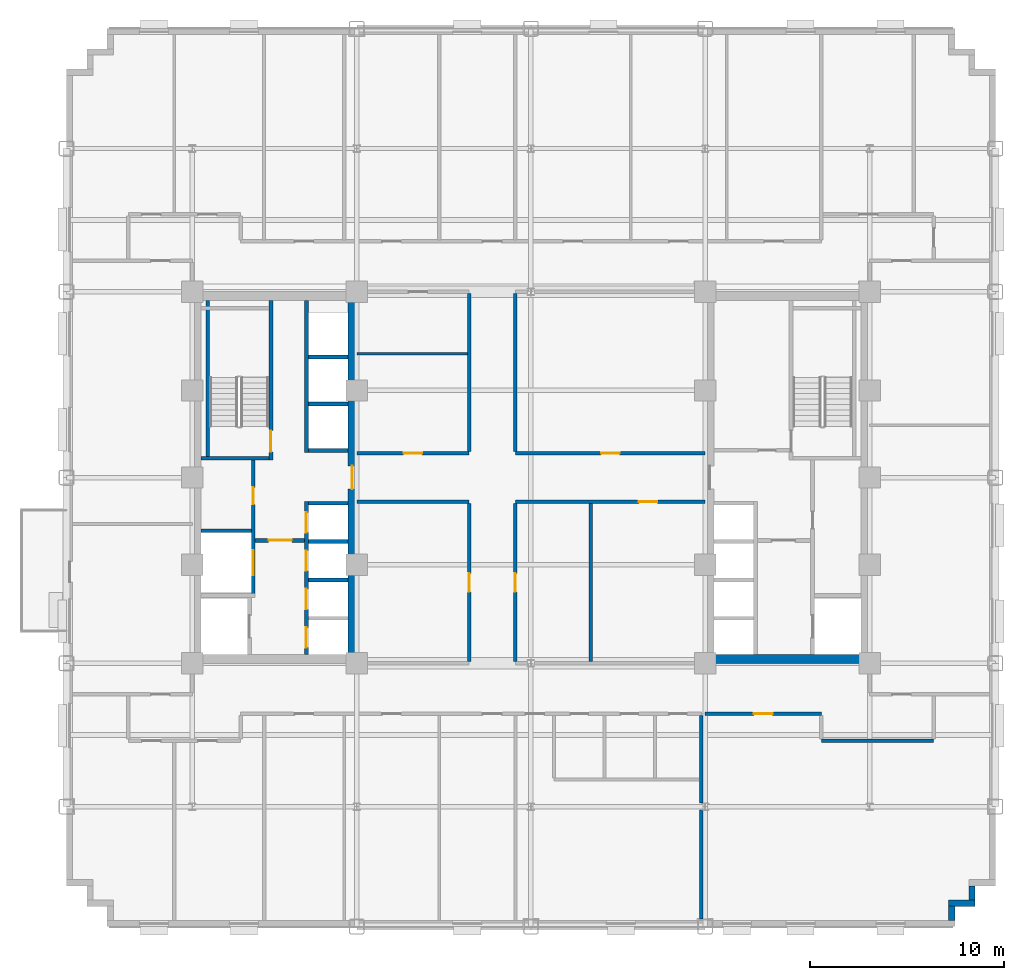
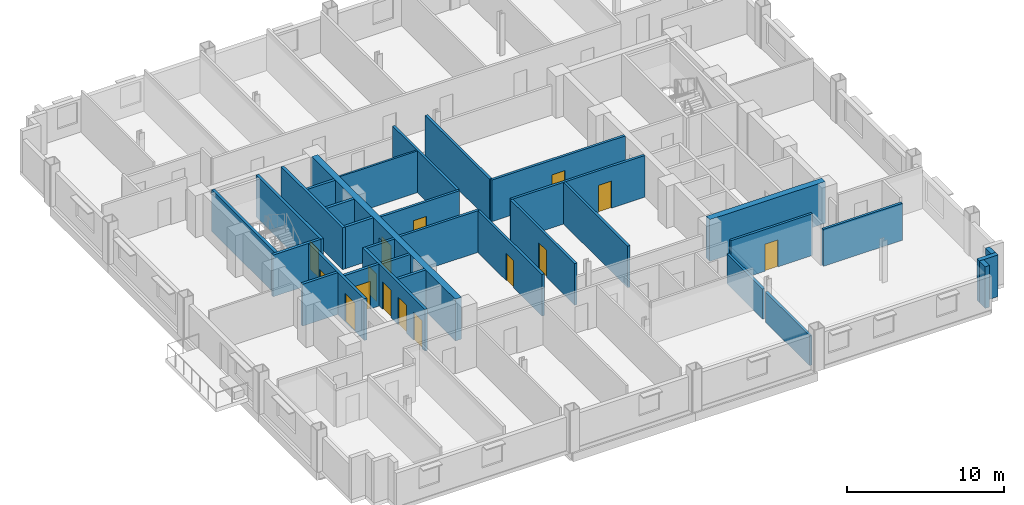
# One storey, part 7 of 14: 33 walls, 15 doors, 15 openings.
"""IFC4 building model written with IfcOpenShell, lengths in metres."""

import ifcopenshell
import ifcopenshell.guid

model = None  # the IFC model being written
_history = None  # IfcOwnerHistory: only IFC2X3 demands one
_inside = {}  # id of a spatial element -> (the spatial element, [elements in it])
_under = {}  # id of a project, library or spatial element -> (it, [spatial elements below it])
_declared = {}  # id of a project -> (the project, [libraries it declares])
_typed = {}  # id of a type object -> (the type object, [elements of that type])
_made_of = {}  # id of a material, layer set ... -> (it, [elements and type objects made of it])


def new_model(schema):
    """Start an empty IFC model of exactly this schema.

    Asked for "IFC4X3", IfcOpenShell would pick the latest addendum, in which some entities
    have other attributes; the version numbers below select the first issue.
    IFC2X3 requires an IfcOwnerHistory on every rooted entity: one is made here for all.
    """
    global model, _history
    if schema == "IFC4X3":
        model = ifcopenshell.file(schema_version=(4, 3, 0, 0))
    else:
        model = ifcopenshell.file(schema=schema)
    _inside.clear()
    _under.clear()
    _declared.clear()
    _typed.clear()
    _made_of.clear()
    _history = None
    if model.schema == "IFC2X3":
        org = make("IfcOrganization", Name="unknown")
        user = make(
            "IfcPersonAndOrganization",
            ThePerson=make("IfcPerson", FamilyName="unknown"),
            TheOrganization=org,
        )
        app = make(
            "IfcApplication",
            ApplicationDeveloper=org,
            Version="unknown",
            ApplicationFullName="unknown",
            ApplicationIdentifier="unknown",
        )
        _history = make(
            "IfcOwnerHistory",
            OwningUser=user,
            OwningApplication=app,
            ChangeAction="ADDED",
            CreationDate=0,
        )
    return model


def make(cls, **values):
    """One entity of the class cls with the attributes given. An attribute that is None is left unset."""
    return model.create_entity(
        cls, **{name: value for name, value in values.items() if value is not None}
    )


def rooted(cls, **values):
    """An entity with a GlobalId (a new one), such as an element, a storey or a relation."""
    return make(cls, GlobalId=ifcopenshell.guid.new(), OwnerHistory=_history, **values)


def si_unit(unit_type, name, prefix=None):
    """IfcSIUnit, for example si_unit("LENGTHUNIT", "METRE", prefix="MILLI")."""
    return make("IfcSIUnit", UnitType=unit_type, Prefix=prefix, Name=name)


def assignment(units):
    """IfcUnitAssignment: the units of a project."""
    return None if units is None else make("IfcUnitAssignment", Units=units)


def point(xyz):
    """IfcCartesianPoint."""
    return None if xyz is None else make("IfcCartesianPoint", Coordinates=xyz)


def direction(xyz):
    """IfcDirection."""
    return None if xyz is None else make("IfcDirection", DirectionRatios=xyz)


def frame(location, z_axis=None, x_axis=None):
    """IfcAxis2Placement3D, a coordinate frame: its origin and axes. An axis left out is left unset."""
    return make(
        "IfcAxis2Placement3D",
        Location=point(location),
        Axis=direction(z_axis),
        RefDirection=direction(x_axis),
    )


def frame_2d(location, x_axis=None):
    """IfcAxis2Placement2D, a coordinate frame in the plane: its origin and x axis."""
    return make(
        "IfcAxis2Placement2D", Location=point(location), RefDirection=direction(x_axis)
    )


def origin():
    """The frame at (0, 0, 0) with its axes left unset."""
    return frame((0.0, 0.0, 0.0))


def place(relative_to, where):
    """IfcLocalPlacement: puts the frame where relative to a parent placement (None: the world)."""
    return make(
        "IfcLocalPlacement", PlacementRelTo=relative_to, RelativePlacement=where
    )


def context(
    kind, dimensions, precision=None, world=None, true_north=None, identifier=None
):
    """IfcGeometricRepresentationContext, for example the 3D "Model" context."""
    return make(
        "IfcGeometricRepresentationContext",
        ContextIdentifier=identifier,
        ContextType=kind,
        CoordinateSpaceDimension=dimensions,
        Precision=precision,
        WorldCoordinateSystem=world,
        TrueNorth=true_north,
    )


def subcontext(parent, identifier, kind, view, scale=None):
    """IfcGeometricRepresentationSubContext, for example "Body" below "Model"."""
    return make(
        "IfcGeometricRepresentationSubContext",
        ContextIdentifier=identifier,
        ContextType=kind,
        ParentContext=parent,
        TargetScale=scale,
        TargetView=view,
    )


def project(units=None, contexts=None):
    """IfcProject with its units and contexts."""
    return rooted(
        "IfcProject",
        Name="project",
        RepresentationContexts=contexts,
        UnitsInContext=assignment(units),
    )


def spatial(cls, under=None, at=None, **own):
    """A site, building, storey or space (cls), placed at a placement, below another one or the project."""
    s = rooted(cls, ObjectPlacement=at, **own)
    if under is not None:
        _under.setdefault(under.id(), (under, []))[1].append(s)
    return s


def profile(cls, at=None, kind="AREA", **sizes):
    """A parametric profile (cls). Its sizes go by their IFC names, for example OverallWidth=200.0."""
    return make(cls, ProfileType=kind, Position=at, **sizes)


def rectangle(**sizes):
    """IfcRectangleProfileDef."""
    return profile("IfcRectangleProfileDef", **sizes)


def extrude(swept, where, along, depth):
    """IfcExtrudedAreaSolid: the profile swept, set in the frame where, extruded along a direction by depth."""
    return make(
        "IfcExtrudedAreaSolid",
        SweptArea=swept,
        Position=where,
        ExtrudedDirection=direction(along),
        Depth=depth,
    )


def shape(context_of_items, identifier, shape_type, items):
    """IfcShapeRepresentation: the items that make up one representation, for example the "Body"."""
    return make(
        "IfcShapeRepresentation",
        ContextOfItems=context_of_items,
        RepresentationIdentifier=identifier,
        RepresentationType=shape_type,
        Items=items,
    )


def source(mapping_origin, context_of_items, identifier, shape_type, items):
    """IfcRepresentationMap: a shape defined once, which mapped items show again and again."""
    return make(
        "IfcRepresentationMap",
        MappingOrigin=mapping_origin,
        MappedRepresentation=shape(context_of_items, identifier, shape_type, items),
    )


def transform(
    local_origin,
    x_axis=None,
    y_axis=None,
    z_axis=None,
    scale=None,
    scale2=None,
    scale3=None,
    uniform=True,
):
    """IfcCartesianTransformationOperator3D, or its non-uniform kind. x_axis, y_axis, z_axis: its Axis1, 2, 3."""
    if uniform:
        return make(
            "IfcCartesianTransformationOperator3D",
            Axis1=direction(x_axis),
            Axis2=direction(y_axis),
            LocalOrigin=point(local_origin),
            Scale=scale,
            Axis3=direction(z_axis),
        )
    return make(
        "IfcCartesianTransformationOperator3DnonUniform",
        Axis1=direction(x_axis),
        Axis2=direction(y_axis),
        LocalOrigin=point(local_origin),
        Scale=scale,
        Axis3=direction(z_axis),
        Scale2=scale2,
        Scale3=scale3,
    )


def mapped(mapping_source, mapping_target):
    """IfcMappedItem: shows the shape of a source again, moved by a transform."""
    return make(
        "IfcMappedItem", MappingSource=mapping_source, MappingTarget=mapping_target
    )


def material(Name=None, Category=None):
    """IfcMaterial."""
    return make("IfcMaterial", Name=Name, Category=Category)


def layer(
    of_material, thickness, ventilated=None, Name=None, Category=None, Priority=None
):
    """IfcMaterialLayer: one layer of a wall or slab, of a material (None: an air gap)."""
    return make(
        "IfcMaterialLayer",
        Material=of_material,
        LayerThickness=thickness,
        IsVentilated=ventilated,
        Name=Name,
        Category=Category,
        Priority=Priority,
    )


def layer_set(layers, Name=None):
    """IfcMaterialLayerSet."""
    return make("IfcMaterialLayerSet", MaterialLayers=layers, LayerSetName=Name)


def made_of(thing, what):
    """Note that an element or type object is made of a material, layer set ...; save() writes the relation."""
    if what is not None:
        _made_of.setdefault(what.id(), (what, []))[1].append(thing)
    return thing


def type_object(cls, material=None, **own):
    """A type object (cls), such as IfcWallType, which elements share."""
    return made_of(rooted(cls, **own), material)


def type_shapes(of_type, sources):
    """Give a type object the sources (RepresentationMaps) that its elements show as mapped items."""
    of_type.RepresentationMaps = sources


def element(
    cls,
    number,
    at=None,
    inside=None,
    cuts=None,
    type_object=None,
    material=None,
    context=None,
    identifier="Body",
    shape_type=None,
    held_by="IfcProductDefinitionShape",
    body=None,
    shapes=None,
    **own,
):
    """One element of the class cls, such as IfcWall. Its Tag is "e" and its number.

    at: its placement. inside: the storey or other place that contains it. cuts: it is an
    opening in that element (IfcRelVoidsElement). A single representation is given by context,
    identifier, shape_type and body (its items); several are given by shapes. held_by: the class
    of the entity that holds the representations. save() writes the other relations.
    """
    e = rooted(cls, Tag="e%d" % number, ObjectPlacement=at, **own)
    if body is not None:
        shapes = [shape(context, identifier, shape_type, body)]
    if shapes is not None:
        e.Representation = make(held_by, Representations=shapes)
    if inside is not None:
        _inside.setdefault(inside.id(), (inside, []))[1].append(e)
    if cuts is not None:
        rooted(
            "IfcRelVoidsElement", RelatingBuildingElement=cuts, RelatedOpeningElement=e
        )
    if type_object is not None:
        _typed.setdefault(type_object.id(), (type_object, []))[1].append(e)
    return made_of(e, material)


def fill(opening, filler):
    """IfcRelFillsElement: the door or window that sits in an opening."""
    return rooted(
        "IfcRelFillsElement",
        RelatingOpeningElement=opening,
        RelatedBuildingElement=filler,
    )


def aggregate(whole, parts):
    """IfcRelAggregates: a whole, such as a stair, and the parts it consists of."""
    return rooted("IfcRelAggregates", RelatingObject=whole, RelatedObjects=parts)


def save(model, path):
    """Write the relations noted so far, then the file.

    IfcRelAggregates (storeys below a building ...), IfcRelContainedInSpatialStructure (elements
    in a storey), IfcRelDefinesByType, IfcRelAssociatesMaterial and IfcRelDeclares: one each for
    every whole, place, type object, material and project.
    """
    for whole, parts in _under.values():
        aggregate(whole, parts)
    for where, things in _inside.values():
        rooted(
            "IfcRelContainedInSpatialStructure",
            RelatedElements=things,
            RelatingStructure=where,
        )
    for kind, things in _typed.values():
        rooted("IfcRelDefinesByType", RelatedObjects=things, RelatingType=kind)
    for what, things in _made_of.values():
        rooted("IfcRelAssociatesMaterial", RelatedObjects=things, RelatingMaterial=what)
    for by, libraries in _declared.values():
        rooted("IfcRelDeclares", RelatingContext=by, RelatedDefinitions=libraries)
    model.write(path)


model = new_model("IFC4")

# Units and contexts
model_context = context("Model", 3, precision=1e-05, world=origin(), true_north=direction((0.0, 1.0)))
body_context = subcontext(model_context, "Body", "Model", "MODEL_VIEW")
ifc_project = project(units=[si_unit("LENGTHUNIT", "METRE"), si_unit("AREAUNIT", "SQUARE_METRE"), si_unit("VOLUMEUNIT", "CUBIC_METRE"), si_unit("PLANEANGLEUNIT", "RADIAN"), si_unit("MASSUNIT", "GRAM", prefix="KILO")], contexts=[model_context])

# Site, building, storey
site_placement = place(None, origin())
site = spatial("IfcSite", under=ifc_project, at=site_placement, CompositionType="ELEMENT")
building_placement = place(site_placement, origin())
building = spatial("IfcBuilding", under=site, at=building_placement, Name="Nuvemarco Arch Tower", CompositionType="ELEMENT")
storey_placement = place(building_placement, frame((0.0, 0.0, 89.64990234375)))
storey = spatial("IfcBuildingStorey", under=building, at=storey_placement, Name="L23", CompositionType="ELEMENT", Elevation=89.64990234375)

# Walls
ifc_material_1 = material(Name="Precast concrete C45/55", Category="concrete")
ifc_layer_1 = layer(ifc_material_1, 0.320068359375, Name="EW-MID-320")
ifc_layer_set_1 = layer_set([ifc_layer_1], Name="Precast concrete C45/55")
wall_type_1 = type_object("IfcWallType", Name="EW-MID-320", PredefinedType="STANDARD", material=ifc_layer_set_1)
wall_1_placement = place(storey_placement, frame((21.739990234375, -22.884033203125, 0.0), z_axis=(0.0, 0.0, 1.0), x_axis=(0.0, 1.0, 0.0)))
element("IfcWall", 1, at=wall_1_placement, inside=storey, type_object=wall_type_1, Name="L23 exterior precast facade wall 2", PredefinedType="STANDARD", context=body_context, shape_type="SweptSolid", body=[
    extrude(rectangle(XDim=0.738037109375, YDim=0.320068359375, at=frame_2d((0.369140625, 0.0))), origin(), (0.0, 0.0, 1.0), 3.239990234375),
])
wall_2_placement = place(storey_placement, frame((21.580078125, -21.989990234375, 0.0), z_axis=(0.0, 0.0, 1.0), x_axis=(1.0, 0.0, 0.0)))
element("IfcWall", 2, at=wall_2_placement, inside=storey, type_object=wall_type_1, Name="L23 exterior precast facade wall 3", PredefinedType="STANDARD", context=body_context, shape_type="SweptSolid", body=[
    extrude(rectangle(XDim=1.369873046875, YDim=0.320068359375, at=frame_2d((0.68505859375, 0.0))), origin(), (0.0, 0.0, 1.0), 3.239990234375),
])
wall_3_placement = place(storey_placement, frame((22.7900390625, -21.833984375, 0.0), z_axis=(0.0, 0.0, 1.0), x_axis=(0.0, 1.0, 0.0)))
element("IfcWall", 3, at=wall_3_placement, inside=storey, type_object=wall_type_1, Name="L23 exterior precast facade wall 4", PredefinedType="STANDARD", context=body_context, shape_type="SweptSolid", body=[
    extrude(rectangle(XDim=0.738037109375, YDim=0.320068359375, at=frame_2d((0.369140625, 0.0))), origin(), (0.0, 0.0, 1.0), 3.239990234375),
])

# Wall, opening, door
ifc_material_2 = material(Name="Concrete C60/75", Category="concrete")
ifc_layer_2 = layer(ifc_material_2, 0.449951171875, Name="WL-CORE-450")
ifc_layer_set_2 = layer_set([ifc_layer_2], Name="Concrete C60/75")
wall_type_2 = type_object("IfcWallType", Name="WL-CORE-450", PredefinedType="SHEAR", material=ifc_layer_set_2)
wall_4_placement = place(storey_placement, frame((-9.22509765625, -9.155029296875, 0.0), z_axis=(0.0, 0.0, 1.0), x_axis=(0.0, 1.0, 0.0)))
wall_4 = element("IfcWall", 4, at=wall_4_placement, inside=storey, type_object=wall_type_2, Name="L23 W-core shear wall E", PredefinedType="SHEAR", context=body_context, shape_type="SweptSolid", body=[
    extrude(rectangle(XDim=18.31005859375, YDim=0.449951171875, at=frame_2d((9.155029296875, 0.0))), origin(), (0.0, 0.0, 1.0), 3.25),
])
opening_1_placement = place(wall_4_placement, frame((8.554931640625, 0.0, 0.0)))
opening_1 = element("IfcOpeningElement", 5, at=opening_1_placement, cuts=wall_4, Name="Opening FD-2", PredefinedType="OPENING", context=body_context, shape_type="SweptSolid", body=[
    extrude(rectangle(XDim=1.199951171875, YDim=2.14990234375, at=frame_2d((0.60009765625, 1.074951171875))), frame((0.0, 0.23486328125, 0.0), z_axis=(0.0, -1.0, 0.0), x_axis=(1.0, 0.0, 0.0)), (0.0, 0.0, 1.0), 0.469970703125),
])
ifc_material_3 = material(Name="Anodised steel fire door", Category="steel")
door_type_1 = type_object("IfcDoorType", Name="DR-FFLOB-FD", OperationType="NOTDEFINED", PredefinedType="DOOR", material=ifc_material_3)
shared_shape_1 = source(origin(), body_context, "Body", "SweptSolid", [
    extrude(rectangle(XDim=1.199951171875, YDim=2.14990234375, at=frame_2d((0.60009765625, 1.074951171875))), frame((0.0, 0.02490234375, 0.0), z_axis=(0.0, -1.0, 0.0), x_axis=(1.0, 0.0, 0.0)), (0.0, 0.0, 1.0), 0.050048828125),
])
type_shapes(door_type_1, [shared_shape_1])
door_1_placement = place(opening_1_placement, origin())
door_1 = element("IfcDoor", 6, at=door_1_placement, inside=storey, type_object=door_type_1, Name="L23 door FD-L23-WCORE-E", OperationType="SINGLE_SWING_LEFT", OverallHeight=2.14990234375, OverallWidth=1.199951171875, PredefinedType="DOOR", context=body_context, shape_type="MappedRepresentation", body=[
    mapped(shared_shape_1, transform((0.0, 0.0, 0.0), scale=1.0)),
])
fill(opening_1, door_1)

# Walls
wall_5_placement = place(storey_placement, frame((9.0, -9.375, 0.0), z_axis=(0.0, 0.0, 1.0), x_axis=(1.0, 0.0, 0.0)))
element("IfcWall", 7, at=wall_5_placement, inside=storey, type_object=wall_type_2, Name="L23 E-core shear wall S", PredefinedType="SHEAR", context=body_context, shape_type="SweptSolid", body=[
    extrude(rectangle(XDim=8.5, YDim=0.449951171875, at=frame_2d((4.25, 0.0))), origin(), (0.0, 0.0, 1.0), 3.25),
])
ifc_material_4 = material(Name="Fire-rated gypsum drywall partition")
ifc_layer_3 = layer(ifc_material_4, 0.179931640625, Name="WL-CORR-180")
ifc_layer_set_3 = layer_set([ifc_layer_3], Name="Fire-rated gypsum drywall partition")
wall_type_3 = type_object("IfcWallType", Name="WL-CORR-180", PredefinedType="PARTITIONING", material=ifc_layer_set_3)
wall_6_placement = place(storey_placement, frame((15.0, -13.60009765625, 0.0), z_axis=(0.0, 0.0, 1.0), x_axis=(1.0, 0.0, 0.0)))
element("IfcWall", 8, at=wall_6_placement, inside=storey, type_object=wall_type_3, Name="L23 interior wall IW-L23-003", PredefinedType="PARTITIONING", context=body_context, shape_type="SweptSolid", body=[
    extrude(rectangle(XDim=5.800048828125, YDim=0.179931640625, at=frame_2d((2.89990234375, 0.0))), origin(), (0.0, 0.0, 1.0), 2.878173828125),
])

# Wall, opening, door
wall_7_placement = place(storey_placement, frame((9.0, -12.199951171875, 0.0), z_axis=(0.0, 0.0, 1.0), x_axis=(1.0, 0.0, 0.0)))
wall_7 = element("IfcWall", 9, at=wall_7_placement, inside=storey, type_object=wall_type_3, Name="L23 interior wall IW-L23-005", PredefinedType="PARTITIONING", context=body_context, shape_type="SweptSolid", body=[
    extrude(rectangle(XDim=6.0, YDim=0.179931640625, at=frame_2d((3.0, 0.0))), origin(), (0.0, 0.0, 1.0), 3.239990234375),
])
opening_2_placement = place(wall_7_placement, frame((2.52001953125, 0.0, 0.0)))
opening_2 = element("IfcOpeningElement", 10, at=opening_2_placement, cuts=wall_7, Name="Opening FD-5", PredefinedType="OPENING", context=body_context, shape_type="SweptSolid", body=[
    extrude(rectangle(XDim=0.9599609375, YDim=2.10009765625, at=frame_2d((0.47998046875, 1.050048828125))), frame((0.0, 0.099853515625, 0.0), z_axis=(0.0, -1.0, 0.0), x_axis=(1.0, 0.0, 0.0)), (0.0, 0.0, 1.0), 0.199951171875),
])
ifc_material_5 = material(Name="Timber fire door", Category="wood")
door_type_2 = type_object("IfcDoorType", Name="DR-CORR-FD", OperationType="NOTDEFINED", PredefinedType="DOOR", material=ifc_material_5)
shared_shape_2 = source(origin(), body_context, "Body", "SweptSolid", [
    extrude(rectangle(XDim=0.9599609375, YDim=2.10009765625, at=frame_2d((0.47998046875, 1.050048828125))), frame((0.0, 0.02490234375, 0.0), z_axis=(0.0, -1.0, 0.0), x_axis=(1.0, 0.0, 0.0)), (0.0, 0.0, 1.0), 0.050048828125),
])
type_shapes(door_type_2, [shared_shape_2])
door_2_placement = place(opening_2_placement, origin())
door_2 = element("IfcDoor", 11, at=door_2_placement, inside=storey, type_object=door_type_2, Name="L23 door DR-L23-S_7", OperationType="SINGLE_SWING_LEFT", OverallHeight=2.10009765625, OverallWidth=0.9599609375, PredefinedType="DOOR", context=body_context, shape_type="MappedRepresentation", body=[
    mapped(shared_shape_2, transform((0.0, 0.0, 0.0), scale=1.0)),
])
fill(opening_2, door_2)

# Wall
wall_8_placement = place(storey_placement, frame((-9.0, -1.25, 0.0), z_axis=(0.0, 0.0, 1.0), x_axis=(1.0, 0.0, 0.0)))
element("IfcWall", 12, at=wall_8_placement, inside=storey, type_object=wall_type_3, Name="L23 interior wall IW-L23-012", PredefinedType="PARTITIONING", context=body_context, shape_type="SweptSolid", body=[
    extrude(rectangle(XDim=5.800048828125, YDim=0.179931640625, at=frame_2d((2.89990234375, 0.0))), origin(), (0.0, 0.0, 1.0), 3.239990234375),
])

# Wall, opening, door
wall_9_placement = place(storey_placement, frame((-0.800048828125, -1.25, 0.0), z_axis=(0.0, 0.0, 1.0), x_axis=(1.0, 0.0, 0.0)))
wall_9 = element("IfcWall", 13, at=wall_9_placement, inside=storey, type_object=wall_type_3, Name="L23 interior wall IW-L23-013", PredefinedType="PARTITIONING", context=body_context, shape_type="SweptSolid", body=[
    extrude(rectangle(XDim=9.800048828125, YDim=0.179931640625, at=frame_2d((4.89990234375, 0.0))), origin(), (0.0, 0.0, 1.0), 3.239990234375),
])
opening_3_placement = place(wall_9_placement, frame((6.3701171875, 0.0, 0.0)))
opening_3 = element("IfcOpeningElement", 14, at=opening_3_placement, cuts=wall_9, Name="Opening FD-5", PredefinedType="OPENING", context=body_context, shape_type="SweptSolid", body=[
    extrude(rectangle(XDim=0.9599609375, YDim=2.10009765625, at=frame_2d((0.47998046875, 1.050048828125))), frame((0.0, 0.099853515625, 0.0), z_axis=(0.0, -1.0, 0.0), x_axis=(1.0, 0.0, 0.0)), (0.0, 0.0, 1.0), 0.199951171875),
])
door_3_placement = place(opening_3_placement, origin())
door_3 = element("IfcDoor", 15, at=door_3_placement, inside=storey, type_object=door_type_2, Name="L23 door DR-L23-C_SE2", OperationType="SINGLE_SWING_LEFT", OverallHeight=2.10009765625, OverallWidth=0.9599609375, PredefinedType="DOOR", context=body_context, shape_type="MappedRepresentation", body=[
    mapped(shared_shape_2, transform((0.0, 0.0, 0.0), scale=1.0)),
])
fill(opening_3, door_3)

wall_10_placement = place(storey_placement, frame((-9.0, 1.25, 0.0), z_axis=(0.0, 0.0, 1.0), x_axis=(1.0, 0.0, 0.0)))
wall_10 = element("IfcWall", 16, at=wall_10_placement, inside=storey, type_object=wall_type_3, Name="L23 interior wall IW-L23-014", PredefinedType="PARTITIONING", context=body_context, shape_type="SweptSolid", body=[
    extrude(rectangle(XDim=5.800048828125, YDim=0.179931640625, at=frame_2d((2.89990234375, 0.0))), origin(), (0.0, 0.0, 1.0), 3.239990234375),
])
opening_4_placement = place(wall_10_placement, frame((2.419921875, 0.0, 0.0)))
opening_4 = element("IfcOpeningElement", 17, at=opening_4_placement, cuts=wall_10, Name="Opening FD-5", PredefinedType="OPENING", context=body_context, shape_type="SweptSolid", body=[
    extrude(rectangle(XDim=0.9599609375, YDim=2.10009765625, at=frame_2d((0.47998046875, 1.050048828125))), frame((0.0, 0.099853515625, 0.0), z_axis=(0.0, -1.0, 0.0), x_axis=(1.0, 0.0, 0.0)), (0.0, 0.0, 1.0), 0.199951171875),
])
door_4_placement = place(opening_4_placement, origin())
door_4 = element("IfcDoor", 18, at=door_4_placement, inside=storey, type_object=door_type_2, Name="L23 door DR-L23-C_NW1", OperationType="SINGLE_SWING_RIGHT", OverallHeight=2.10009765625, OverallWidth=0.9599609375, PredefinedType="DOOR", context=body_context, shape_type="MappedRepresentation", body=[
    mapped(shared_shape_2, transform((0.0, 0.0, 0.0), scale=1.0)),
])
fill(opening_4, door_4)

wall_11_placement = place(storey_placement, frame((-0.800048828125, 1.25, 0.0), z_axis=(0.0, 0.0, 1.0), x_axis=(1.0, 0.0, 0.0)))
wall_11 = element("IfcWall", 19, at=wall_11_placement, inside=storey, type_object=wall_type_3, Name="L23 interior wall IW-L23-015", PredefinedType="PARTITIONING", context=body_context, shape_type="SweptSolid", body=[
    extrude(rectangle(XDim=9.800048828125, YDim=0.179931640625, at=frame_2d((4.89990234375, 0.0))), origin(), (0.0, 0.0, 1.0), 3.239990234375),
])
opening_5_placement = place(wall_11_placement, frame((4.419921875, 0.0, 0.0)))
opening_5 = element("IfcOpeningElement", 20, at=opening_5_placement, cuts=wall_11, Name="Opening FD-5", PredefinedType="OPENING", context=body_context, shape_type="SweptSolid", body=[
    extrude(rectangle(XDim=0.9599609375, YDim=2.10009765625, at=frame_2d((0.47998046875, 1.050048828125))), frame((0.0, 0.099853515625, 0.0), z_axis=(0.0, -1.0, 0.0), x_axis=(1.0, 0.0, 0.0)), (0.0, 0.0, 1.0), 0.199951171875),
])
door_5_placement = place(opening_5_placement, origin())
door_5 = element("IfcDoor", 21, at=door_5_placement, inside=storey, type_object=door_type_2, Name="L23 door DR-L23-C_NE", OperationType="SINGLE_SWING_RIGHT", OverallHeight=2.10009765625, OverallWidth=0.9599609375, PredefinedType="DOOR", context=body_context, shape_type="MappedRepresentation", body=[
    mapped(shared_shape_2, transform((0.0, 0.0, 0.0), scale=1.0)),
])
fill(opening_5, door_5)

wall_12_placement = place(storey_placement, frame((-3.199951171875, -9.513916015625, 0.0), z_axis=(0.0, 0.0, 1.0), x_axis=(0.0, 1.0, 0.0)))
wall_12 = element("IfcWall", 22, at=wall_12_placement, inside=storey, type_object=wall_type_3, Name="L23 interior wall IW-L23-040", PredefinedType="PARTITIONING", context=body_context, shape_type="SweptSolid", body=[
    extrude(rectangle(XDim=8.177978515625, YDim=0.179931640625, at=frame_2d((4.0888671875, 0.0))), origin(), (0.0, 0.0, 1.0), 3.239990234375),
])
opening_6_placement = place(wall_12_placement, frame((3.60888671875, 0.0, 0.0)))
opening_6 = element("IfcOpeningElement", 23, at=opening_6_placement, cuts=wall_12, Name="Opening FD-5", PredefinedType="OPENING", context=body_context, shape_type="SweptSolid", body=[
    extrude(rectangle(XDim=0.9599609375, YDim=2.10009765625, at=frame_2d((0.47998046875, 1.050048828125))), frame((0.0, 0.099853515625, 0.0), z_axis=(0.0, -1.0, 0.0), x_axis=(1.0, 0.0, 0.0)), (0.0, 0.0, 1.0), 0.199951171875),
])
door_6_placement = place(opening_6_placement, origin())
door_6 = element("IfcDoor", 24, at=door_6_placement, inside=storey, type_object=door_type_2, Name="L23 door DR-L23-C_SW", OperationType="SINGLE_SWING_LEFT", OverallHeight=2.10009765625, OverallWidth=0.9599609375, PredefinedType="DOOR", context=body_context, shape_type="MappedRepresentation", body=[
    mapped(shared_shape_2, transform((0.0, 0.0, 0.0), scale=1.0)),
])
fill(opening_6, door_6)

# Wall
wall_13_placement = place(storey_placement, frame((-3.199951171875, 1.3359375, 0.0), z_axis=(0.0, 0.0, 1.0), x_axis=(0.0, 1.0, 0.0)))
element("IfcWall", 25, at=wall_13_placement, inside=storey, type_object=wall_type_3, Name="L23 interior wall IW-L23-041", PredefinedType="PARTITIONING", context=body_context, shape_type="SweptSolid", body=[
    extrude(rectangle(XDim=8.177978515625, YDim=0.179931640625, at=frame_2d((4.0888671875, 0.0))), origin(), (0.0, 0.0, 1.0), 3.239990234375),
])

# Wall, opening, door
wall_14_placement = place(storey_placement, frame((-0.800048828125, -9.513916015625, 0.0), z_axis=(0.0, 0.0, 1.0), x_axis=(0.0, 1.0, 0.0)))
wall_14 = element("IfcWall", 26, at=wall_14_placement, inside=storey, type_object=wall_type_3, Name="L23 interior wall IW-L23-043", PredefinedType="PARTITIONING", context=body_context, shape_type="SweptSolid", body=[
    extrude(rectangle(XDim=8.177978515625, YDim=0.179931640625, at=frame_2d((4.0888671875, 0.0))), origin(), (0.0, 0.0, 1.0), 3.239990234375),
])
opening_7_placement = place(wall_14_placement, frame((3.60888671875, 0.0, 0.0)))
opening_7 = element("IfcOpeningElement", 27, at=opening_7_placement, cuts=wall_14, Name="Opening FD-5", PredefinedType="OPENING", context=body_context, shape_type="SweptSolid", body=[
    extrude(rectangle(XDim=0.9599609375, YDim=2.10009765625, at=frame_2d((0.47998046875, 1.050048828125))), frame((0.0, 0.099853515625, 0.0), z_axis=(0.0, -1.0, 0.0), x_axis=(1.0, 0.0, 0.0)), (0.0, 0.0, 1.0), 0.199951171875),
])
door_7_placement = place(opening_7_placement, origin())
door_7 = element("IfcDoor", 28, at=door_7_placement, inside=storey, type_object=door_type_2, Name="L23 door DR-L23-C_SE1", OperationType="SINGLE_SWING_RIGHT", OverallHeight=2.10009765625, OverallWidth=0.9599609375, PredefinedType="DOOR", context=body_context, shape_type="MappedRepresentation", body=[
    mapped(shared_shape_2, transform((0.0, 0.0, 0.0), scale=1.0)),
])
fill(opening_7, door_7)

# Walls
for number, where, z_axis, x_axis, name in (
    (29, (-0.800048828125, 1.3359375, 0.0), (0.0, 0.0, 1.0), (0.0, 1.0, 0.0), "L23 interior wall IW-L23-044"),
    (30, (3.10009765625, -9.513916015625, 0.0), (0.0, 0.0, 1.0), (0.0, 1.0, 0.0), "L23 interior wall IW-L23-047"),
):
    element("IfcWall", number, at=place(storey_placement, frame(where, z_axis=z_axis, x_axis=x_axis)), inside=storey, type_object=wall_type_3, Name=name, PredefinedType="PARTITIONING", context=body_context, shape_type="SweptSolid", body=[
        extrude(rectangle(XDim=8.177978515625, YDim=0.179931640625, at=frame_2d((4.0888671875, 0.0))), origin(), (0.0, 0.0, 1.0), 3.239990234375),
    ])
wall_15_placement = place(storey_placement, frame((8.800048828125, -22.803955078125, 0.0), z_axis=(0.0, 0.0, 1.0), x_axis=(0.0, 1.0, 0.0)))
element("IfcWall", 31, at=wall_15_placement, inside=storey, type_object=wall_type_3, Name="L23 interior wall IW-L23-051", PredefinedType="PARTITIONING", context=body_context, shape_type="SweptSolid", body=[
    extrude(rectangle(XDim=5.6279296875, YDim=0.179931640625, at=frame_2d((2.81396484375, 0.0))), origin(), (0.0, 0.0, 1.0), 2.335205078125),
])
wall_16_placement = place(storey_placement, frame((8.800048828125, -16.823974609375, 0.0), z_axis=(0.0, 0.0, 1.0), x_axis=(0.0, 1.0, 0.0)))
element("IfcWall", 32, at=wall_16_placement, inside=storey, type_object=wall_type_3, Name="L23 interior wall IW-L23-052", PredefinedType="PARTITIONING", context=body_context, shape_type="SweptSolid", body=[
    extrude(rectangle(XDim=4.5380859375, YDim=0.179931640625, at=frame_2d((2.26904296875, 0.0))), origin(), (0.0, 0.0, 1.0), 2.335205078125),
])
ifc_material_6 = material(Name="Gypsum plasterboard partition")
ifc_layer_4 = layer(ifc_material_6, 0.139892578125, Name="WL-ROOM-140")
ifc_layer_set_4 = layer_set([ifc_layer_4], Name="Gypsum plasterboard partition")
wall_type_4 = type_object("IfcWallType", Name="WL-ROOM-140", PredefinedType="PARTITIONING", material=ifc_layer_set_4)
wall_17_placement = place(storey_placement, frame((-9.0, 6.39990234375, 0.0), z_axis=(0.0, 0.0, 1.0), x_axis=(1.0, 0.0, 0.0)))
element("IfcWall", 33, at=wall_17_placement, inside=storey, type_object=wall_type_4, Name="L23 interior wall IW-L23-017", PredefinedType="PARTITIONING", context=body_context, shape_type="SweptSolid", body=[
    extrude(rectangle(XDim=5.714111328125, YDim=0.139892578125, at=frame_2d((2.85693359375, 0.0))), origin(), (0.0, 0.0, 1.0), 3.239990234375),
])

# Wall, opening, door
ifc_material_7 = material(Name="Concrete C50/60", Category="concrete")
ifc_layer_5 = layer(ifc_material_7, 0.199951171875, Name="WL-SHAFT-220")
ifc_layer_set_5 = layer_set([ifc_layer_5], Name="Concrete C50/60")
wall_type_5 = type_object("IfcWallType", Name="WL-SHAFT-220", PredefinedType="SHEAR", material=ifc_layer_set_5)
wall_18_placement = place(storey_placement, frame((-13.43994140625, 0.89990234375, 0.0), z_axis=(0.0, 0.0, 1.0), x_axis=(0.0, 1.0, 0.0)))
wall_18 = element("IfcWall", 34, at=wall_18_placement, inside=storey, type_object=wall_type_5, Name="L23 structural shaft wall SW-L23-W-ST1E", PredefinedType="SHEAR", context=body_context, shape_type="SweptSolid", body=[
    extrude(rectangle(XDim=8.255126953125, YDim=0.199951171875, at=frame_2d((4.12744140625, 0.0))), origin(), (0.0, 0.0, 1.0), 3.25),
])
opening_8_placement = place(wall_18_placement, frame((1.530029296875, 0.0, 0.0), z_axis=(0.0, 0.0, 1.0), x_axis=(-1.0, 0.0, 0.0)))
opening_8 = element("IfcOpeningElement", 35, at=opening_8_placement, cuts=wall_18, Name="Opening FD-1", PredefinedType="OPENING", context=body_context, shape_type="SweptSolid", body=[
    extrude(rectangle(XDim=1.10009765625, YDim=2.14990234375, at=frame_2d((0.550048828125, 1.074951171875))), frame((0.0, 0.10986328125, 0.0), z_axis=(0.0, -1.0, 0.0), x_axis=(1.0, 0.0, 0.0)), (0.0, 0.0, 1.0), 0.219970703125),
])
door_type_3 = type_object("IfcDoorType", Name="DR-STAIR-FD", OperationType="NOTDEFINED", PredefinedType="DOOR", material=ifc_material_3)
shared_shape_3 = source(origin(), body_context, "Body", "SweptSolid", [
    extrude(rectangle(XDim=1.10009765625, YDim=2.14990234375, at=frame_2d((0.550048828125, 1.074951171875))), frame((0.0, 0.02490234375, 0.0), z_axis=(0.0, -1.0, 0.0), x_axis=(1.0, 0.0, 0.0)), (0.0, 0.0, 1.0), 0.050048828125),
])
type_shapes(door_type_3, [shared_shape_3])
door_8_placement = place(opening_8_placement, origin())
door_8 = element("IfcDoor", 36, at=door_8_placement, inside=storey, type_object=door_type_3, Name="L23 door FD-L23-ST1", OperationType="SINGLE_SWING_LEFT", OverallHeight=2.14990234375, OverallWidth=1.10009765625, PredefinedType="DOOR", context=body_context, shape_type="MappedRepresentation", body=[
    mapped(shared_shape_3, transform((0.0, 0.0, 0.0), scale=1.0)),
])
fill(opening_8, door_8)

# Walls
wall_19_placement = place(storey_placement, frame((-17.054931640625, 1.0, 0.0), z_axis=(0.0, 0.0, 1.0), x_axis=(1.0, 0.0, 0.0)))
element("IfcWall", 37, at=wall_19_placement, inside=storey, type_object=wall_type_5, Name="L23 structural shaft wall SW-L23-W-ST1S", PredefinedType="SHEAR", context=body_context, shape_type="SweptSolid", body=[
    extrude(rectangle(XDim=3.52001953125, YDim=0.199951171875, at=frame_2d((1.760009765625, 0.0))), origin(), (0.0, 0.0, 1.0), 3.25),
])
wall_20_placement = place(storey_placement, frame((-16.699951171875, 1.094970703125, 0.0), z_axis=(0.0, 0.0, 1.0), x_axis=(0.0, 1.0, 0.0)))
element("IfcWall", 38, at=wall_20_placement, inside=storey, type_object=wall_type_5, Name="L23 structural shaft wall SW-L23-W-ST1W", PredefinedType="SHEAR", context=body_context, shape_type="SweptSolid", body=[
    extrude(rectangle(XDim=8.06005859375, YDim=0.199951171875, at=frame_2d((4.030029296875, 0.0))), origin(), (0.0, 0.0, 1.0), 3.25),
])

# Wall, openings, doors
wall_21_placement = place(storey_placement, frame((-14.35009765625, -6.199951171875, 0.0), z_axis=(0.0, 0.0, 1.0), x_axis=(0.0, 1.0, 0.0)))
wall_21 = element("IfcWall", 39, at=wall_21_placement, inside=storey, type_object=wall_type_5, Name="L23 structural shaft wall SW-L23-W-SVE", PredefinedType="SHEAR", context=body_context, shape_type="SweptSolid", body=[
    extrude(rectangle(XDim=7.10498046875, YDim=0.199951171875, at=frame_2d((3.552490234375, 0.0))), origin(), (0.0, 0.0, 1.0), 3.25),
])
opening_9_placement = place(wall_21_placement, frame((5.68994140625, 0.0, 0.0), z_axis=(0.0, 0.0, 1.0), x_axis=(-1.0, 0.0, 0.0)))
opening_9 = element("IfcOpeningElement", 40, at=opening_9_placement, cuts=wall_21, Name="Opening FD-4", PredefinedType="OPENING", context=body_context, shape_type="SweptSolid", body=[
    extrude(rectangle(XDim=0.8798828125, YDim=2.10009765625, at=frame_2d((0.43994140625, 1.050048828125))), frame((0.0, 0.10986328125, 0.0), z_axis=(0.0, -1.0, 0.0), x_axis=(1.0, 0.0, 0.0)), (0.0, 0.0, 1.0), 0.219970703125),
])
opening_10_placement = place(wall_21_placement, frame((1.14990234375, 0.0, 0.0)))
opening_10 = element("IfcOpeningElement", 41, at=opening_10_placement, cuts=wall_21, Name="Opening LD-3", PredefinedType="OPENING", context=body_context, shape_type="SweptSolid", body=[
    extrude(rectangle(XDim=1.300048828125, YDim=2.199951171875, at=frame_2d((0.64990234375, 1.10009765625))), frame((0.0, 0.10986328125, 0.0), z_axis=(0.0, -1.0, 0.0), x_axis=(1.0, 0.0, 0.0)), (0.0, 0.0, 1.0), 0.219970703125),
])
door_type_4 = type_object("IfcDoorType", Name="DR-RISER-FD", OperationType="NOTDEFINED", PredefinedType="DOOR", material=ifc_material_3)
shared_shape_4 = source(origin(), body_context, "Body", "SweptSolid", [
    extrude(rectangle(XDim=0.8798828125, YDim=2.10009765625, at=frame_2d((0.43994140625, 1.050048828125))), frame((0.0, 0.02490234375, 0.0), z_axis=(0.0, -1.0, 0.0), x_axis=(1.0, 0.0, 0.0)), (0.0, 0.0, 1.0), 0.050048828125),
])
type_shapes(door_type_4, [shared_shape_4])
door_9_placement = place(opening_9_placement, origin())
door_9 = element("IfcDoor", 42, at=door_9_placement, inside=storey, type_object=door_type_4, Name="L23 door FD-L23-WRIS", OperationType="SINGLE_SWING_LEFT", OverallHeight=2.10009765625, OverallWidth=0.8798828125, PredefinedType="DOOR", context=body_context, shape_type="MappedRepresentation", body=[
    mapped(shared_shape_4, transform((0.0, 0.0, 0.0), scale=1.0)),
])
fill(opening_9, door_9)
ifc_material_8 = material(Name="Stainless steel lift door", Category="steel")
door_type_5 = type_object("IfcDoorType", Name="DR-LIFT-SERV", OperationType="DOUBLE_DOOR_SLIDING", PredefinedType="DOOR", material=ifc_material_8)
shared_shape_5 = source(origin(), body_context, "Body", "SweptSolid", [
    extrude(rectangle(XDim=1.300048828125, YDim=2.199951171875, at=frame_2d((0.64990234375, 1.10009765625))), frame((0.0, 0.02490234375, 0.0), z_axis=(0.0, -1.0, 0.0), x_axis=(1.0, 0.0, 0.0)), (0.0, 0.0, 1.0), 0.050048828125),
])
type_shapes(door_type_5, [shared_shape_5])
door_10_placement = place(opening_10_placement, origin())
door_10 = element("IfcDoor", 43, at=door_10_placement, inside=storey, type_object=door_type_5, Name="L23 Lift landing sliding door SVL-1", OperationType="DOUBLE_DOOR_SLIDING", OverallHeight=2.199951171875, OverallWidth=1.300048828125, PredefinedType="DOOR", context=body_context, shape_type="MappedRepresentation", body=[
    mapped(shared_shape_5, transform((0.0, 0.0, 0.0), scale=1.0)),
])
fill(opening_10, door_10)

# Wall
wall_22_placement = place(storey_placement, frame((-17.054931640625, -2.75, 0.0), z_axis=(0.0, 0.0, 1.0), x_axis=(1.0, 0.0, 0.0)))
element("IfcWall", 44, at=wall_22_placement, inside=storey, type_object=wall_type_5, Name="L23 structural shaft wall SW-L23-W-SH2", PredefinedType="SHEAR", context=body_context, shape_type="SweptSolid", body=[
    extrude(rectangle(XDim=2.60986328125, YDim=0.199951171875, at=frame_2d((1.304931640625, 0.0))), origin(), (0.0, 0.0, 1.0), 3.25),
])

# Wall, openings, doors
wall_23_placement = place(storey_placement, frame((-11.60009765625, -9.155029296875, 0.0), z_axis=(0.0, 0.0, 1.0), x_axis=(0.0, 1.0, 0.0)))
wall_23 = element("IfcWall", 45, at=wall_23_placement, inside=storey, type_object=wall_type_5, Name="L23 structural shaft wall SW-L23-W-PLW", PredefinedType="SHEAR", context=body_context, shape_type="SweptSolid", body=[
    extrude(rectangle(XDim=7.925048828125, YDim=0.199951171875, at=frame_2d((3.96240234375, 0.0))), origin(), (0.0, 0.0, 1.0), 3.25),
])
opening_11_placement = place(wall_23_placement, frame((0.3701171875, 0.0, 0.0)))
opening_11 = element("IfcOpeningElement", 46, at=opening_11_placement, cuts=wall_23, Name="Opening LD-1", PredefinedType="OPENING", context=body_context, shape_type="SweptSolid", body=[
    extrude(rectangle(XDim=1.050048828125, YDim=2.14990234375, at=frame_2d((0.52490234375, 1.074951171875))), frame((0.0, 0.10986328125, 0.0), z_axis=(0.0, -1.0, 0.0), x_axis=(1.0, 0.0, 0.0)), (0.0, 0.0, 1.0), 0.219970703125),
])
opening_12_placement = place(wall_23_placement, frame((2.35009765625, 0.0, 0.0)))
opening_12 = element("IfcOpeningElement", 47, at=opening_12_placement, cuts=wall_23, Name="Opening LD-1", PredefinedType="OPENING", context=body_context, shape_type="SweptSolid", body=[
    extrude(rectangle(XDim=1.050048828125, YDim=2.14990234375, at=frame_2d((0.52490234375, 1.074951171875))), frame((0.0, 0.10986328125, 0.0), z_axis=(0.0, -1.0, 0.0), x_axis=(1.0, 0.0, 0.0)), (0.0, 0.0, 1.0), 0.219970703125),
])
opening_13_placement = place(wall_23_placement, frame((4.330078125, 0.0, 0.0)))
opening_13 = element("IfcOpeningElement", 48, at=opening_13_placement, cuts=wall_23, Name="Opening LD-1", PredefinedType="OPENING", context=body_context, shape_type="SweptSolid", body=[
    extrude(rectangle(XDim=1.050048828125, YDim=2.14990234375, at=frame_2d((0.52490234375, 1.074951171875))), frame((0.0, 0.10986328125, 0.0), z_axis=(0.0, -1.0, 0.0), x_axis=(1.0, 0.0, 0.0)), (0.0, 0.0, 1.0), 0.219970703125),
])
opening_14_placement = place(wall_23_placement, frame((6.31005859375, 0.0, 0.0)))
opening_14 = element("IfcOpeningElement", 49, at=opening_14_placement, cuts=wall_23, Name="Opening LD-1", PredefinedType="OPENING", context=body_context, shape_type="SweptSolid", body=[
    extrude(rectangle(XDim=1.050048828125, YDim=2.14990234375, at=frame_2d((0.52490234375, 1.074951171875))), frame((0.0, 0.10986328125, 0.0), z_axis=(0.0, -1.0, 0.0), x_axis=(1.0, 0.0, 0.0)), (0.0, 0.0, 1.0), 0.219970703125),
])
door_type_6 = type_object("IfcDoorType", Name="DR-LIFT-PASS", OperationType="DOUBLE_DOOR_SLIDING", PredefinedType="DOOR", material=ifc_material_8)
shared_shape_6 = source(origin(), body_context, "Body", "SweptSolid", [
    extrude(rectangle(XDim=1.050048828125, YDim=2.14990234375, at=frame_2d((0.52490234375, 1.074951171875))), frame((0.0, 0.02490234375, 0.0), z_axis=(0.0, -1.0, 0.0), x_axis=(1.0, 0.0, 0.0)), (0.0, 0.0, 1.0), 0.050048828125),
])
type_shapes(door_type_6, [shared_shape_6])
door_11_placement = place(opening_11_placement, origin())
door_11 = element("IfcDoor", 50, at=door_11_placement, inside=storey, type_object=door_type_6, Name="L23 Lift landing sliding door PL-1", OperationType="DOUBLE_DOOR_SLIDING", OverallHeight=2.14990234375, OverallWidth=1.050048828125, PredefinedType="DOOR", context=body_context, shape_type="MappedRepresentation", body=[
    mapped(shared_shape_6, transform((0.0, 0.0, 0.0), scale=1.0)),
])
fill(opening_11, door_11)
door_12_placement = place(opening_12_placement, origin())
door_12 = element("IfcDoor", 51, at=door_12_placement, inside=storey, type_object=door_type_6, Name="L23 Lift landing sliding door PL-2", OperationType="DOUBLE_DOOR_SLIDING", OverallHeight=2.14990234375, OverallWidth=1.050048828125, PredefinedType="DOOR", context=body_context, shape_type="MappedRepresentation", body=[
    mapped(shared_shape_6, transform((0.0, 0.0, 0.0), scale=1.0)),
])
fill(opening_12, door_12)
door_13_placement = place(opening_13_placement, origin())
door_13 = element("IfcDoor", 52, at=door_13_placement, inside=storey, type_object=door_type_6, Name="L23 Lift landing sliding door PL-3", OperationType="DOUBLE_DOOR_SLIDING", OverallHeight=2.14990234375, OverallWidth=1.050048828125, PredefinedType="DOOR", context=body_context, shape_type="MappedRepresentation", body=[
    mapped(shared_shape_6, transform((0.0, 0.0, 0.0), scale=1.0)),
])
fill(opening_13, door_13)
door_14_placement = place(opening_14_placement, origin())
door_14 = element("IfcDoor", 53, at=door_14_placement, inside=storey, type_object=door_type_6, Name="L23 Lift landing sliding door PL-4", OperationType="DOUBLE_DOOR_SLIDING", OverallHeight=2.14990234375, OverallWidth=1.050048828125, PredefinedType="DOOR", context=body_context, shape_type="MappedRepresentation", body=[
    mapped(shared_shape_6, transform((0.0, 0.0, 0.0), scale=1.0)),
])
fill(opening_14, door_14)

# Wall, opening, door
wall_24_placement = place(storey_placement, frame((-14.2548828125, -3.25, 0.0), z_axis=(0.0, 0.0, 1.0), x_axis=(1.0, 0.0, 0.0)))
wall_24 = element("IfcWall", 54, at=wall_24_placement, inside=storey, type_object=wall_type_5, Name="L23 structural shaft wall SW-L23-W-FFN", PredefinedType="SHEAR", context=body_context, shape_type="SweptSolid", body=[
    extrude(rectangle(XDim=2.559814453125, YDim=0.199951171875, at=frame_2d((1.27978515625, 0.0))), origin(), (0.0, 0.0, 1.0), 3.25),
])
opening_15_placement = place(wall_24_placement, frame((0.705078125, 0.0, 0.0)))
opening_15 = element("IfcOpeningElement", 55, at=opening_15_placement, cuts=wall_24, Name="Opening FD-2", PredefinedType="OPENING", context=body_context, shape_type="SweptSolid", body=[
    extrude(rectangle(XDim=1.199951171875, YDim=2.14990234375, at=frame_2d((0.60009765625, 1.074951171875))), frame((0.0, 0.10986328125, 0.0), z_axis=(0.0, -1.0, 0.0), x_axis=(1.0, 0.0, 0.0)), (0.0, 0.0, 1.0), 0.219970703125),
])
door_15_placement = place(opening_15_placement, origin())
door_15 = element("IfcDoor", 56, at=door_15_placement, inside=storey, type_object=door_type_1, Name="L23 door FD-L23-WFF1", OperationType="SINGLE_SWING_LEFT", OverallHeight=2.14990234375, OverallWidth=1.199951171875, PredefinedType="DOOR", context=body_context, shape_type="MappedRepresentation", body=[
    mapped(shared_shape_1, transform((0.0, 0.0, 0.0), scale=1.0)),
])
fill(opening_15, door_15)

# Walls
for number, where, z_axis, x_axis, name in (
    (57, (-11.5048828125, -5.2900390625, 0.0), (0.0, 0.0, 1.0), (1.0, 0.0, 0.0), "L23 structural shaft wall SW-L23-W-PLD2"),
    (58, (-11.5048828125, -3.31005859375, 0.0), (0.0, 0.0, 1.0), (1.0, 0.0, 0.0), "L23 structural shaft wall SW-L23-W-PLD3"),
    (59, (-11.5048828125, -1.330078125, 0.0), (0.0, 0.0, 1.0), (1.0, 0.0, 0.0), "L23 structural shaft wall SW-L23-W-PLD4"),
):
    element("IfcWall", number, at=place(storey_placement, frame(where, z_axis=z_axis, x_axis=x_axis)), inside=storey, type_object=wall_type_5, Name=name, PredefinedType="SHEAR", context=body_context, shape_type="SweptSolid", body=[
        extrude(rectangle(XDim=2.059814453125, YDim=0.199951171875, at=frame_2d((1.02978515625, 0.0))), origin(), (0.0, 0.0, 1.0), 3.25),
    ])
wall_25_placement = place(storey_placement, frame((-11.60009765625, 1.300048828125, 0.0), z_axis=(0.0, 0.0, 1.0), x_axis=(0.0, 1.0, 0.0)))
element("IfcWall", 60, at=wall_25_placement, inside=storey, type_object=wall_type_5, Name="L23 structural shaft wall SW-L23-W-PHW", PredefinedType="SHEAR", context=body_context, shape_type="SweptSolid", body=[
    extrude(rectangle(XDim=7.85498046875, YDim=0.199951171875, at=frame_2d((3.927490234375, 0.0))), origin(), (0.0, 0.0, 1.0), 3.25),
])
for number, where, z_axis, x_axis, name in (
    (61, (-11.5048828125, 1.39990234375, 0.0), (0.0, 0.0, 1.0), (1.0, 0.0, 0.0), "L23 structural shaft wall SW-L23-W-PHD1"),
    (62, (-11.5048828125, 3.800048828125, 0.0), (0.0, 0.0, 1.0), (1.0, 0.0, 0.0), "L23 structural shaft wall SW-L23-W-PHD2"),
    (63, (-11.5048828125, 6.219970703125, 0.0), (0.0, 0.0, 1.0), (1.0, 0.0, 0.0), "L23 structural shaft wall SW-L23-W-PHD3"),
):
    element("IfcWall", number, at=place(storey_placement, frame(where, z_axis=z_axis, x_axis=x_axis)), inside=storey, type_object=wall_type_5, Name=name, PredefinedType="SHEAR", context=body_context, shape_type="SweptSolid", body=[
        extrude(rectangle(XDim=2.059814453125, YDim=0.199951171875, at=frame_2d((1.02978515625, 0.0))), origin(), (0.0, 0.0, 1.0), 3.25),
    ])

save(model, "model.ifc")
